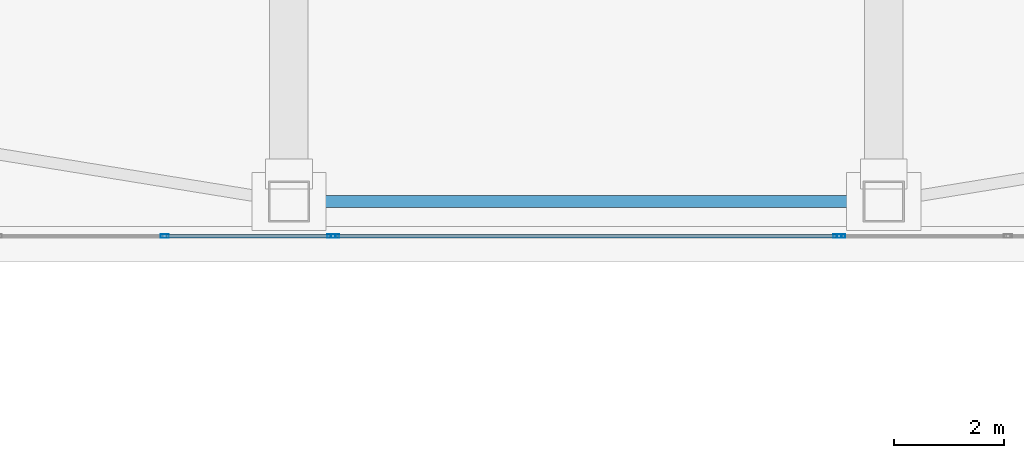
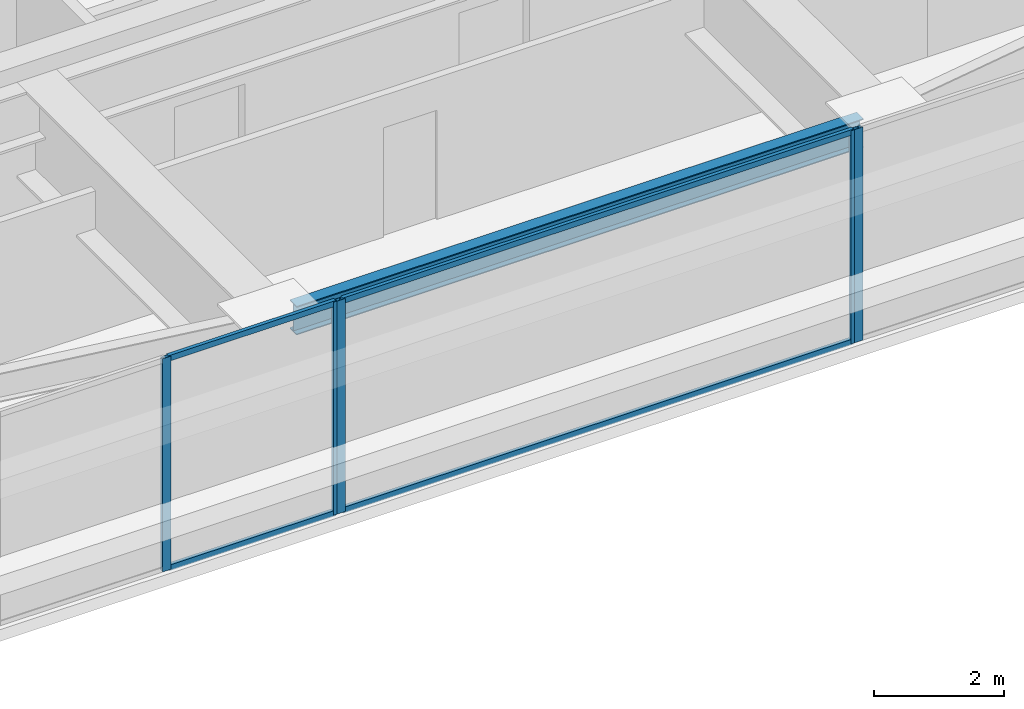
# One storey, part 9 of 51: 9 members, 1 beam, 3 elements without a shape of their own.
"""IFC4 building model written with IfcOpenShell, lengths in metres."""

from ifc_helpers import new_model, si_unit, direction, frame, origin, origin_2d, place, context, subcontext, project, spatial, hollow_rectangle, i_section, extrude, material, material_profile, profile_set, type_object, element, aggregate, save


model = new_model("IFC4")

# Units and contexts
model_context = context("Model", 3, precision=1e-05, world=origin(), true_north=direction((0.0, 1.0)))
body_context = subcontext(model_context, "Body", "Model", "MODEL_VIEW")
ifc_project = project(units=[si_unit("LENGTHUNIT", "METRE"), si_unit("AREAUNIT", "SQUARE_METRE"), si_unit("VOLUMEUNIT", "CUBIC_METRE"), si_unit("PLANEANGLEUNIT", "RADIAN"), si_unit("MASSUNIT", "GRAM", prefix="KILO")], contexts=[model_context])

# Site, building, storey
site_placement = place(None, origin())
site = spatial("IfcSite", under=ifc_project, at=site_placement, CompositionType="ELEMENT")
building_placement = place(site_placement, origin())
building = spatial("IfcBuilding", under=site, at=building_placement, Name="Tashvorn Skyway Center", CompositionType="ELEMENT")
storey_placement = place(building_placement, frame((0.0, 0.0, 259.39990234375)))
storey = spatial("IfcBuildingStorey", under=building, at=storey_placement, Name="L70", CompositionType="ELEMENT", Elevation=259.39990234375)

# Beam
ifc_material_1 = material(Name="Steel ASTM A992 Grade 50", Category="steel")
ifc_material_profile_1 = material_profile(ifc_material_1, i_section(OverallWidth=0.2109375, OverallDepth=0.5390625, WebThickness=0.01171875, FlangeThickness=0.018798828125, at=origin_2d()), Name="W21X73")
ifc_profile_set_1 = profile_set([ifc_material_profile_1], Name="Steel ASTM A992 Grade 50")
beam_type = type_object("IfcBeamType", Name="BM-SPANDREL-W21X73", PredefinedType="SPANDREL", material=ifc_profile_set_1)
beam_placement = place(storey_placement, frame((36.969970703125, 16.949951171875, 3.4306640625), z_axis=(1.0, 0.0, 0.0), x_axis=(0.0, 1.0, 0.0)))
element("IfcBeam", 1, at=beam_placement, inside=storey, type_object=beam_type, Name="Tower 1 L70 Spandrel Beam 02", PredefinedType="SPANDREL", context=body_context, shape_type="SweptSolid", body=[
    extrude(i_section(OverallWidth=0.2109375, OverallDepth=0.5390625, WebThickness=0.01171875, FlangeThickness=0.018798828125, at=origin_2d()), origin(), (0.0, 0.0, 1.0), 10.06005859375),
])

# Curtain wall, member
ifc_material_2 = material(Name="Thermally broken bronze-anodized aluminium 6063-T6", Category="aluminium")
curtain_wall_type = type_object("IfcCurtainWallType", Name="CW-CW-SKY", PredefinedType="NOTDEFINED", material=ifc_material_2)
curtain_wall_1_placement = place(storey_placement, origin())
curtain_wall_1 = element("IfcCurtainWall", 2, at=curtain_wall_1_placement, inside=storey, type_object=curtain_wall_type, Name="Tower 1 L70 South Unitised Curtain Wall Glazing Group 1", PredefinedType="NOTDEFINED")
ifc_material_profile_2 = material_profile(ifc_material_2, hollow_rectangle(XDim=0.06494140625, YDim=0.14990234375, WallThickness=0.00390625, at=origin_2d()), Name="ALU-MULL-65x150")
ifc_profile_set_2 = profile_set([ifc_material_profile_2], Name="Thermally broken bronze-anodized aluminium 6063-T6")
member_type_1 = type_object("IfcMemberType", Name="CWM-CW-SKY", PredefinedType="MULLION", material=ifc_profile_set_2)
member_1_placement = place(storey_placement, frame((46.625732421875, 16.320068359375, 0.0), z_axis=(0.0, 0.0, 1.0), x_axis=(0.0, -1.0, 0.0)))
member_1 = element("IfcMember", 3, at=member_1_placement, type_object=member_type_1, Name="CW-SKY mullion 3", PredefinedType="MULLION", context=body_context, shape_type="SweptSolid", body=[
    extrude(hollow_rectangle(XDim=0.06494140625, YDim=0.14990234375, WallThickness=0.00390625, at=origin_2d()), origin(), (0.0, 0.0, 1.0), 4.0),
])
aggregate(curtain_wall_1, [member_1])

# Curtain wall, members
curtain_wall_2_placement = place(storey_placement, origin())
curtain_wall_2 = element("IfcCurtainWall", 4, at=curtain_wall_2_placement, inside=storey, type_object=curtain_wall_type, Name="Tower 1 L70 South Unitised Curtain Wall Glazing Group 2", PredefinedType="NOTDEFINED")
member_2_placement = place(storey_placement, frame((46.560791015625, 16.320068359375, 0.0), z_axis=(0.0, 0.0, 1.0), x_axis=(0.0, -1.0, 0.0)))
member_2 = element("IfcMember", 5, at=member_2_placement, type_object=member_type_1, Name="CW-SKY mullion 1", PredefinedType="MULLION", context=body_context, shape_type="SweptSolid", body=[
    extrude(hollow_rectangle(XDim=0.06494140625, YDim=0.14990234375, WallThickness=0.00390625, at=origin_2d()), origin(), (0.0, 0.0, 1.0), 4.0),
])
member_3_placement = place(storey_placement, frame((37.439208984375, 16.320068359375, 0.0), z_axis=(0.0, 0.0, 1.0), x_axis=(0.0, -1.0, 0.0)))
member_3 = element("IfcMember", 6, at=member_3_placement, type_object=member_type_1, Name="CW-SKY mullion 2", PredefinedType="MULLION", context=body_context, shape_type="SweptSolid", body=[
    extrude(hollow_rectangle(XDim=0.06494140625, YDim=0.14990234375, WallThickness=0.00390625, at=origin_2d()), origin(), (0.0, 0.0, 1.0), 4.0),
])

curtain_wall_3_placement = place(storey_placement, origin())
curtain_wall_3 = element("IfcCurtainWall", 7, at=curtain_wall_3_placement, inside=storey, type_object=curtain_wall_type, Name="Tower 1 L70 South Unitised Curtain Wall Glazing Group 3", PredefinedType="NOTDEFINED")
member_4_placement = place(storey_placement, frame((37.374267578125, 16.320068359375, 0.0), z_axis=(0.0, 0.0, 1.0), x_axis=(0.0, -1.0, 0.0)))
member_4 = element("IfcMember", 8, at=member_4_placement, type_object=member_type_1, Name="CW-SKY mullion 1", PredefinedType="MULLION", context=body_context, shape_type="SweptSolid", body=[
    extrude(hollow_rectangle(XDim=0.06494140625, YDim=0.14990234375, WallThickness=0.00390625, at=origin_2d()), origin(), (0.0, 0.0, 1.0), 4.0),
])
member_5_placement = place(storey_placement, frame((34.344482421875, 16.320068359375, 0.0), z_axis=(0.0, 0.0, 1.0), x_axis=(0.0, -1.0, 0.0)))
member_5 = element("IfcMember", 9, at=member_5_placement, type_object=member_type_1, Name="CW-SKY mullion 2", PredefinedType="MULLION", context=body_context, shape_type="SweptSolid", body=[
    extrude(hollow_rectangle(XDim=0.06494140625, YDim=0.14990234375, WallThickness=0.00390625, at=origin_2d()), origin(), (0.0, 0.0, 1.0), 4.0),
])

# Member
ifc_material_profile_3 = material_profile(ifc_material_2, hollow_rectangle(XDim=0.06494140625, YDim=0.10498046875, WallThickness=0.00390625, at=origin_2d()), Name="ALU-TRAN-65x105")
ifc_profile_set_3 = profile_set([ifc_material_profile_3], Name="Thermally broken bronze-anodized aluminium 6063-T6")
member_type_2 = type_object("IfcMemberType", Name="CWT-CW-SKY", PredefinedType="USERDEFINED", material=ifc_profile_set_3)
member_6_placement = place(storey_placement, frame((46.5283203125, 16.320068359375, 0.03271484375), z_axis=(-1.0, 0.0, 0.0), x_axis=(0.0, -1.0, 0.0)))
member_6 = element("IfcMember", 10, at=member_6_placement, type_object=member_type_2, Name="CW-SKY transom 1.1", ObjectType="TRANSOM", PredefinedType="USERDEFINED", context=body_context, shape_type="SweptSolid", body=[
    extrude(hollow_rectangle(XDim=0.06494140625, YDim=0.10498046875, WallThickness=0.00390625, at=origin_2d()), origin(), (0.0, 0.0, 1.0), 9.056640625),
])

member_7_placement = place(storey_placement, frame((46.5283203125, 16.320068359375, 3.967529296875), z_axis=(-1.0, 0.0, 0.0), x_axis=(0.0, -1.0, 0.0)))
member_7 = element("IfcMember", 11, at=member_7_placement, type_object=member_type_2, Name="CW-SKY transom 1.2", ObjectType="TRANSOM", PredefinedType="USERDEFINED", context=body_context, shape_type="SweptSolid", body=[
    extrude(hollow_rectangle(XDim=0.06494140625, YDim=0.10498046875, WallThickness=0.00390625, at=origin_2d()), origin(), (0.0, 0.0, 1.0), 9.056640625),
])

aggregate(curtain_wall_2, [member_2, member_3, member_6, member_7])

member_8_placement = place(storey_placement, frame((37.341796875, 16.320068359375, 0.03271484375), z_axis=(-1.0, 0.0, 0.0), x_axis=(0.0, -1.0, 0.0)))
member_8 = element("IfcMember", 12, at=member_8_placement, type_object=member_type_2, Name="CW-SKY transom 1.1", ObjectType="TRANSOM", PredefinedType="USERDEFINED", context=body_context, shape_type="SweptSolid", body=[
    extrude(hollow_rectangle(XDim=0.06494140625, YDim=0.10498046875, WallThickness=0.00390625, at=origin_2d()), origin(), (0.0, 0.0, 1.0), 2.96484375),
])

member_9_placement = place(storey_placement, frame((37.341796875, 16.320068359375, 3.967529296875), z_axis=(-1.0, 0.0, 0.0), x_axis=(0.0, -1.0, 0.0)))
member_9 = element("IfcMember", 13, at=member_9_placement, type_object=member_type_2, Name="CW-SKY transom 1.2", ObjectType="TRANSOM", PredefinedType="USERDEFINED", context=body_context, shape_type="SweptSolid", body=[
    extrude(hollow_rectangle(XDim=0.06494140625, YDim=0.10498046875, WallThickness=0.00390625, at=origin_2d()), origin(), (0.0, 0.0, 1.0), 2.96484375),
])

aggregate(curtain_wall_3, [member_4, member_5, member_8, member_9])

save(model, "model.ifc")
